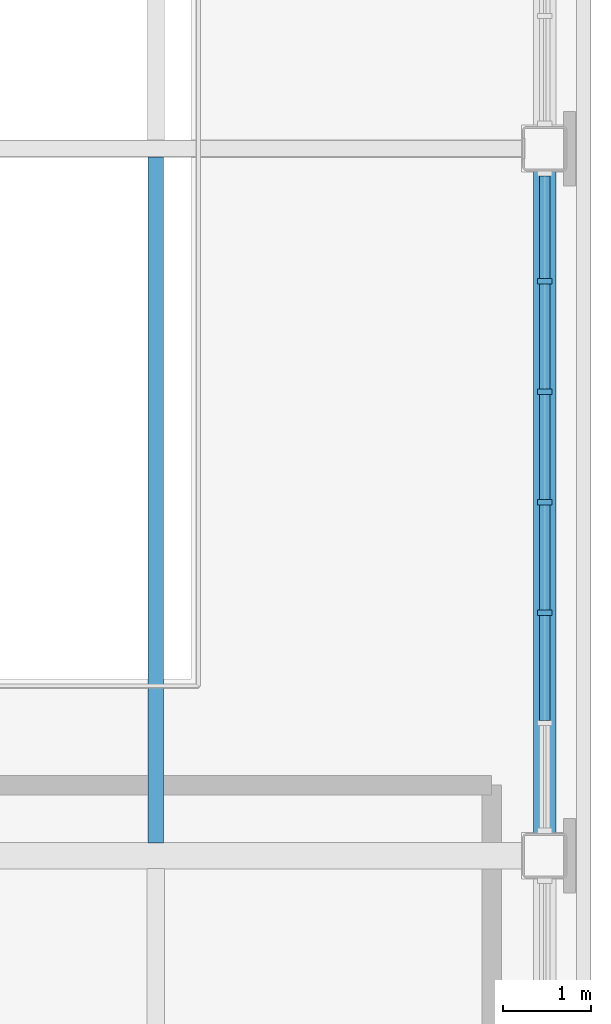
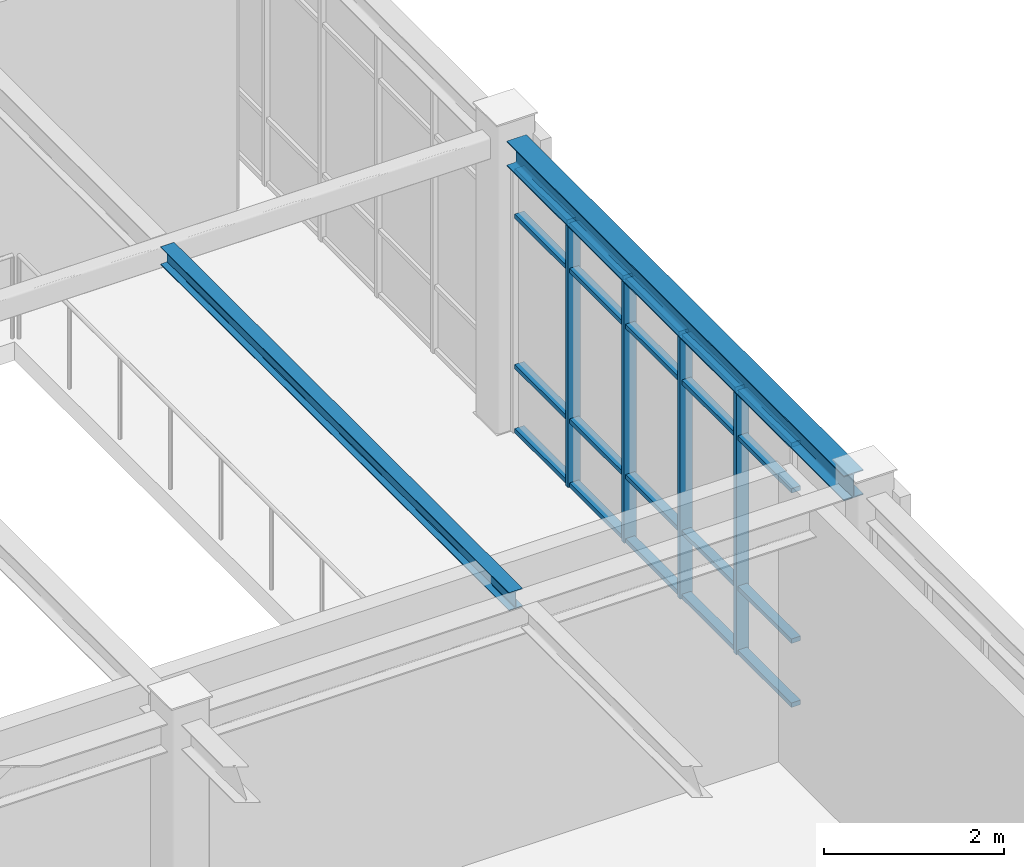
# One storey, part 11 of 45: 24 members, 2 beams, 1 element without a shape of its own.
"""IFC4 building model written with IfcOpenShell, lengths in metres."""

from ifc_helpers import new_model, si_unit, direction, frame, origin, origin_2d, place, context, subcontext, project, spatial, rectangle, i_section, extrude, material, material_profile, profile_set, type_object, element, aggregate, save


model = new_model("IFC4")

# Units and contexts
model_context = context("Model", 3, precision=1e-05, world=origin(), true_north=direction((0.0, 1.0)))
body_context = subcontext(model_context, "Body", "Model", "MODEL_VIEW")
ifc_project = project(units=[si_unit("LENGTHUNIT", "METRE"), si_unit("AREAUNIT", "SQUARE_METRE"), si_unit("VOLUMEUNIT", "CUBIC_METRE"), si_unit("PLANEANGLEUNIT", "RADIAN"), si_unit("MASSUNIT", "GRAM", prefix="KILO")], contexts=[model_context])

# Site, building, storey
site_placement = place(None, origin())
site = spatial("IfcSite", under=ifc_project, at=site_placement, CompositionType="ELEMENT")
building_placement = place(site_placement, origin())
building = spatial("IfcBuilding", under=site, at=building_placement, Name="Zhaolan Boulevard Law Courts", CompositionType="ELEMENT")
storey_placement = place(building_placement, frame((0.0, 0.0, 24.60009765625)))
storey = spatial("IfcBuildingStorey", under=building, at=storey_placement, Name="L05", CompositionType="ELEMENT", Elevation=24.60009765625)

# Curtain wall, members
ifc_material_1 = material(Name="Thermally broken aluminium and low-E glazing", Category="aluminium")
curtain_wall_type = type_object("IfcCurtainWallType", Name="CURTAIN WALL M5", PredefinedType="USERDEFINED", material=ifc_material_1)
curtain_wall_placement = place(storey_placement, origin())
curtain_wall = element("IfcCurtainWall", 1, at=curtain_wall_placement, inside=storey, type_object=curtain_wall_type, Name="Curtain Wall CW-L05-221", ObjectType="CURTAIN WALL", PredefinedType="USERDEFINED")
ifc_material_2 = material(Name="Fluorocarbon-coated aluminium 6063-T6", Category="aluminium")
ifc_material_profile_1 = material_profile(ifc_material_2, rectangle(XDim=0.159912109375, YDim=0.06005859375, at=origin_2d()), Name="AL60x160")
ifc_profile_set_1 = profile_set([ifc_material_profile_1], Name="Fluorocarbon-coated aluminium 6063-T6")
member_type_1 = type_object("IfcMemberType", Name="CWMULLION 60X160", PredefinedType="MULLION", material=ifc_profile_set_1)
member_1_placement = place(storey_placement, frame((44.0, 56.750732421875, 0.0), z_axis=(0.0, 0.0, 1.0), x_axis=(-1.0, 0.0, 0.0)))
member_1 = element("IfcMember", 2, at=member_1_placement, type_object=member_type_1, Name="CW-L05-221 mullion 3", PredefinedType="MULLION", context=body_context, shape_type="SweptSolid", body=[
    extrude(rectangle(XDim=0.159912109375, YDim=0.06005859375, at=origin_2d()), origin(), (0.0, 0.0, 1.0), 3.593017578125),
])
member_2_placement = place(storey_placement, frame((44.0, 58.0, 0.0), z_axis=(0.0, 0.0, 1.0), x_axis=(-1.0, 0.0, 0.0)))
member_2 = element("IfcMember", 3, at=member_2_placement, type_object=member_type_1, Name="CW-L05-221 mullion 4", PredefinedType="MULLION", context=body_context, shape_type="SweptSolid", body=[
    extrude(rectangle(XDim=0.159912109375, YDim=0.06005859375, at=origin_2d()), origin(), (0.0, 0.0, 1.0), 3.593017578125),
])
member_3_placement = place(storey_placement, frame((44.0, 59.249267578125, 0.0), z_axis=(0.0, 0.0, 1.0), x_axis=(-1.0, 0.0, 0.0)))
member_3 = element("IfcMember", 4, at=member_3_placement, type_object=member_type_1, Name="CW-L05-221 mullion 5", PredefinedType="MULLION", context=body_context, shape_type="SweptSolid", body=[
    extrude(rectangle(XDim=0.159912109375, YDim=0.06005859375, at=origin_2d()), origin(), (0.0, 0.0, 1.0), 3.593017578125),
])
member_4_placement = place(storey_placement, frame((44.0, 60.498779296875, 0.0), z_axis=(0.0, 0.0, 1.0), x_axis=(-1.0, 0.0, 0.0)))
member_4 = element("IfcMember", 5, at=member_4_placement, type_object=member_type_1, Name="CW-L05-221 mullion 6", PredefinedType="MULLION", context=body_context, shape_type="SweptSolid", body=[
    extrude(rectangle(XDim=0.159912109375, YDim=0.06005859375, at=origin_2d()), origin(), (0.0, 0.0, 1.0), 3.593017578125),
])
ifc_material_3 = material(Name="Fluorocarbon-coated aluminium 6063-T6", Category="aluminium")
ifc_material_profile_2 = material_profile(ifc_material_3, rectangle(XDim=0.1201171875, YDim=0.06005859375, at=origin_2d()), Name="AL60x120")
ifc_profile_set_2 = profile_set([ifc_material_profile_2], Name="Fluorocarbon-coated aluminium 6063-T6")
member_type_2 = type_object("IfcMemberType", Name="CWTRANSOM 60X120", PredefinedType="USERDEFINED", material=ifc_profile_set_2)
member_5_placement = place(storey_placement, frame((44.0, 55.53125, 0.02978515625), z_axis=(0.0, 1.0, 0.0), x_axis=(-1.0, 0.0, 0.0)))
member_5 = element("IfcMember", 6, at=member_5_placement, type_object=member_type_2, Name="CW-L05-221 transom 2.1", ObjectType="TRANSOM", PredefinedType="USERDEFINED", context=body_context, shape_type="SweptSolid", body=[
    extrude(rectangle(XDim=0.1201171875, YDim=0.06005859375, at=origin_2d()), origin(), (0.0, 0.0, 1.0), 1.189453125),
])
member_6_placement = place(storey_placement, frame((44.0, 55.53125, 0.89990234375), z_axis=(0.0, 1.0, 0.0), x_axis=(-1.0, 0.0, 0.0)))
member_6 = element("IfcMember", 7, at=member_6_placement, type_object=member_type_2, Name="CW-L05-221 transom 2.2", ObjectType="TRANSOM", PredefinedType="USERDEFINED", context=body_context, shape_type="SweptSolid", body=[
    extrude(rectangle(XDim=0.1201171875, YDim=0.06005859375, at=origin_2d()), origin(), (0.0, 0.0, 1.0), 1.189453125),
])
member_7_placement = place(storey_placement, frame((44.0, 55.53125, 2.94287109375), z_axis=(0.0, 1.0, 0.0), x_axis=(-1.0, 0.0, 0.0)))
member_7 = element("IfcMember", 8, at=member_7_placement, type_object=member_type_2, Name="CW-L05-221 transom 2.3", ObjectType="TRANSOM", PredefinedType="USERDEFINED", context=body_context, shape_type="SweptSolid", body=[
    extrude(rectangle(XDim=0.1201171875, YDim=0.06005859375, at=origin_2d()), origin(), (0.0, 0.0, 1.0), 1.189453125),
])
member_8_placement = place(storey_placement, frame((44.0, 55.53125, 3.56298828125), z_axis=(0.0, 1.0, 0.0), x_axis=(-1.0, 0.0, 0.0)))
member_8 = element("IfcMember", 9, at=member_8_placement, type_object=member_type_2, Name="CW-L05-221 transom 2.4", ObjectType="TRANSOM", PredefinedType="USERDEFINED", context=body_context, shape_type="SweptSolid", body=[
    extrude(rectangle(XDim=0.1201171875, YDim=0.06005859375, at=origin_2d()), origin(), (0.0, 0.0, 1.0), 1.189453125),
])
member_9_placement = place(storey_placement, frame((44.0, 56.78076171875, 0.02978515625), z_axis=(0.0, 1.0, 0.0), x_axis=(-1.0, 0.0, 0.0)))
member_9 = element("IfcMember", 10, at=member_9_placement, type_object=member_type_2, Name="CW-L05-221 transom 3.1", ObjectType="TRANSOM", PredefinedType="USERDEFINED", context=body_context, shape_type="SweptSolid", body=[
    extrude(rectangle(XDim=0.1201171875, YDim=0.06005859375, at=origin_2d()), origin(), (0.0, 0.0, 1.0), 1.189208984375),
])
member_10_placement = place(storey_placement, frame((44.0, 56.78076171875, 0.89990234375), z_axis=(0.0, 1.0, 0.0), x_axis=(-1.0, 0.0, 0.0)))
member_10 = element("IfcMember", 11, at=member_10_placement, type_object=member_type_2, Name="CW-L05-221 transom 3.2", ObjectType="TRANSOM", PredefinedType="USERDEFINED", context=body_context, shape_type="SweptSolid", body=[
    extrude(rectangle(XDim=0.1201171875, YDim=0.06005859375, at=origin_2d()), origin(), (0.0, 0.0, 1.0), 1.189208984375),
])
member_11_placement = place(storey_placement, frame((44.0, 56.78076171875, 2.94287109375), z_axis=(0.0, 1.0, 0.0), x_axis=(-1.0, 0.0, 0.0)))
member_11 = element("IfcMember", 12, at=member_11_placement, type_object=member_type_2, Name="CW-L05-221 transom 3.3", ObjectType="TRANSOM", PredefinedType="USERDEFINED", context=body_context, shape_type="SweptSolid", body=[
    extrude(rectangle(XDim=0.1201171875, YDim=0.06005859375, at=origin_2d()), origin(), (0.0, 0.0, 1.0), 1.189208984375),
])
member_12_placement = place(storey_placement, frame((44.0, 56.78076171875, 3.56298828125), z_axis=(0.0, 1.0, 0.0), x_axis=(-1.0, 0.0, 0.0)))
member_12 = element("IfcMember", 13, at=member_12_placement, type_object=member_type_2, Name="CW-L05-221 transom 3.4", ObjectType="TRANSOM", PredefinedType="USERDEFINED", context=body_context, shape_type="SweptSolid", body=[
    extrude(rectangle(XDim=0.1201171875, YDim=0.06005859375, at=origin_2d()), origin(), (0.0, 0.0, 1.0), 1.189208984375),
])
member_13_placement = place(storey_placement, frame((44.0, 58.030029296875, 0.02978515625), z_axis=(0.0, 1.0, 0.0), x_axis=(-1.0, 0.0, 0.0)))
member_13 = element("IfcMember", 14, at=member_13_placement, type_object=member_type_2, Name="CW-L05-221 transom 4.1", ObjectType="TRANSOM", PredefinedType="USERDEFINED", context=body_context, shape_type="SweptSolid", body=[
    extrude(rectangle(XDim=0.1201171875, YDim=0.06005859375, at=origin_2d()), origin(), (0.0, 0.0, 1.0), 1.189208984375),
])
member_14_placement = place(storey_placement, frame((44.0, 58.030029296875, 0.89990234375), z_axis=(0.0, 1.0, 0.0), x_axis=(-1.0, 0.0, 0.0)))
member_14 = element("IfcMember", 15, at=member_14_placement, type_object=member_type_2, Name="CW-L05-221 transom 4.2", ObjectType="TRANSOM", PredefinedType="USERDEFINED", context=body_context, shape_type="SweptSolid", body=[
    extrude(rectangle(XDim=0.1201171875, YDim=0.06005859375, at=origin_2d()), origin(), (0.0, 0.0, 1.0), 1.189208984375),
])
member_15_placement = place(storey_placement, frame((44.0, 58.030029296875, 2.94287109375), z_axis=(0.0, 1.0, 0.0), x_axis=(-1.0, 0.0, 0.0)))
member_15 = element("IfcMember", 16, at=member_15_placement, type_object=member_type_2, Name="CW-L05-221 transom 4.3", ObjectType="TRANSOM", PredefinedType="USERDEFINED", context=body_context, shape_type="SweptSolid", body=[
    extrude(rectangle(XDim=0.1201171875, YDim=0.06005859375, at=origin_2d()), origin(), (0.0, 0.0, 1.0), 1.189208984375),
])
member_16_placement = place(storey_placement, frame((44.0, 58.030029296875, 3.56298828125), z_axis=(0.0, 1.0, 0.0), x_axis=(-1.0, 0.0, 0.0)))
member_16 = element("IfcMember", 17, at=member_16_placement, type_object=member_type_2, Name="CW-L05-221 transom 4.4", ObjectType="TRANSOM", PredefinedType="USERDEFINED", context=body_context, shape_type="SweptSolid", body=[
    extrude(rectangle(XDim=0.1201171875, YDim=0.06005859375, at=origin_2d()), origin(), (0.0, 0.0, 1.0), 1.189208984375),
])
member_17_placement = place(storey_placement, frame((44.0, 59.279296875, 0.02978515625), z_axis=(0.0, 1.0, 0.0), x_axis=(-1.0, 0.0, 0.0)))
member_17 = element("IfcMember", 18, at=member_17_placement, type_object=member_type_2, Name="CW-L05-221 transom 5.1", ObjectType="TRANSOM", PredefinedType="USERDEFINED", context=body_context, shape_type="SweptSolid", body=[
    extrude(rectangle(XDim=0.1201171875, YDim=0.06005859375, at=origin_2d()), origin(), (0.0, 0.0, 1.0), 1.189453125),
])
member_18_placement = place(storey_placement, frame((44.0, 59.279296875, 0.89990234375), z_axis=(0.0, 1.0, 0.0), x_axis=(-1.0, 0.0, 0.0)))
member_18 = element("IfcMember", 19, at=member_18_placement, type_object=member_type_2, Name="CW-L05-221 transom 5.2", ObjectType="TRANSOM", PredefinedType="USERDEFINED", context=body_context, shape_type="SweptSolid", body=[
    extrude(rectangle(XDim=0.1201171875, YDim=0.06005859375, at=origin_2d()), origin(), (0.0, 0.0, 1.0), 1.189453125),
])
member_19_placement = place(storey_placement, frame((44.0, 59.279296875, 2.94287109375), z_axis=(0.0, 1.0, 0.0), x_axis=(-1.0, 0.0, 0.0)))
member_19 = element("IfcMember", 20, at=member_19_placement, type_object=member_type_2, Name="CW-L05-221 transom 5.3", ObjectType="TRANSOM", PredefinedType="USERDEFINED", context=body_context, shape_type="SweptSolid", body=[
    extrude(rectangle(XDim=0.1201171875, YDim=0.06005859375, at=origin_2d()), origin(), (0.0, 0.0, 1.0), 1.189453125),
])
member_20_placement = place(storey_placement, frame((44.0, 59.279296875, 3.56298828125), z_axis=(0.0, 1.0, 0.0), x_axis=(-1.0, 0.0, 0.0)))
member_20 = element("IfcMember", 21, at=member_20_placement, type_object=member_type_2, Name="CW-L05-221 transom 5.4", ObjectType="TRANSOM", PredefinedType="USERDEFINED", context=body_context, shape_type="SweptSolid", body=[
    extrude(rectangle(XDim=0.1201171875, YDim=0.06005859375, at=origin_2d()), origin(), (0.0, 0.0, 1.0), 1.189453125),
])
member_21_placement = place(storey_placement, frame((44.0, 60.528564453125, 0.02978515625), z_axis=(0.0, 1.0, 0.0), x_axis=(-1.0, 0.0, 0.0)))
member_21 = element("IfcMember", 22, at=member_21_placement, type_object=member_type_2, Name="CW-L05-221 transom 6.1", ObjectType="TRANSOM", PredefinedType="USERDEFINED", context=body_context, shape_type="SweptSolid", body=[
    extrude(rectangle(XDim=0.1201171875, YDim=0.06005859375, at=origin_2d()), origin(), (0.0, 0.0, 1.0), 1.159423828125),
])
member_22_placement = place(storey_placement, frame((44.0, 60.528564453125, 0.89990234375), z_axis=(0.0, 1.0, 0.0), x_axis=(-1.0, 0.0, 0.0)))
member_22 = element("IfcMember", 23, at=member_22_placement, type_object=member_type_2, Name="CW-L05-221 transom 6.2", ObjectType="TRANSOM", PredefinedType="USERDEFINED", context=body_context, shape_type="SweptSolid", body=[
    extrude(rectangle(XDim=0.1201171875, YDim=0.06005859375, at=origin_2d()), origin(), (0.0, 0.0, 1.0), 1.159423828125),
])
member_23_placement = place(storey_placement, frame((44.0, 60.528564453125, 2.94287109375), z_axis=(0.0, 1.0, 0.0), x_axis=(-1.0, 0.0, 0.0)))
member_23 = element("IfcMember", 24, at=member_23_placement, type_object=member_type_2, Name="CW-L05-221 transom 6.3", ObjectType="TRANSOM", PredefinedType="USERDEFINED", context=body_context, shape_type="SweptSolid", body=[
    extrude(rectangle(XDim=0.1201171875, YDim=0.06005859375, at=origin_2d()), origin(), (0.0, 0.0, 1.0), 1.159423828125),
])
member_24_placement = place(storey_placement, frame((44.0, 60.528564453125, 3.56298828125), z_axis=(0.0, 1.0, 0.0), x_axis=(-1.0, 0.0, 0.0)))
member_24 = element("IfcMember", 25, at=member_24_placement, type_object=member_type_2, Name="CW-L05-221 transom 6.4", ObjectType="TRANSOM", PredefinedType="USERDEFINED", context=body_context, shape_type="SweptSolid", body=[
    extrude(rectangle(XDim=0.1201171875, YDim=0.06005859375, at=origin_2d()), origin(), (0.0, 0.0, 1.0), 1.159423828125),
])
aggregate(curtain_wall, [member_1, member_2, member_3, member_4, member_5, member_6, member_7, member_8, member_9, member_10, member_11, member_12, member_13, member_14, member_15, member_16, member_17, member_18, member_19, member_20, member_21, member_22, member_23, member_24])

# Beams
ifc_material_4 = material(Name="Structural steel Q355B", Category="steel")
ifc_material_profile_3 = material_profile(ifc_material_4, i_section(OverallWidth=0.25, OverallDepth=0.340087890625, WebThickness=0.009033203125, FlangeThickness=0.013916015625, FilletRadius=0.01611328125, at=origin_2d()), Name="HM340x250")
ifc_profile_set_3 = profile_set([ifc_material_profile_3], Name="Structural steel Q355B")
beam_type_1 = type_object("IfcBeamType", Name="GIRDER HM340", PredefinedType="BEAM", material=ifc_profile_set_3)
beam_1_placement = place(storey_placement, frame((44.0, 54.24609375, 3.77783203125), z_axis=(0.0, 1.0, 0.0), x_axis=(-1.0, 0.0, 0.0)))
element("IfcBeam", 26, at=beam_1_placement, inside=storey, type_object=beam_type_1, Name="Beam BY-L06-6-H-J", PredefinedType="BEAM", context=body_context, shape_type="SweptSolid", body=[
    extrude(i_section(OverallWidth=0.25, OverallDepth=0.340087890625, WebThickness=0.009033203125, FlangeThickness=0.013916015625, FilletRadius=0.01611328125, at=origin_2d()), origin(), (0.0, 0.0, 1.0), 7.5078125),
])
ifc_material_5 = material(Name="Structural steel Q355B", Category="steel")
ifc_material_profile_4 = material_profile(ifc_material_5, i_section(OverallWidth=0.175048828125, OverallDepth=0.243896484375, WebThickness=0.007080078125, FlangeThickness=0.010986328125, FilletRadius=0.012939453125, at=origin_2d()), Name="HM244x175")
ifc_profile_set_4 = profile_set([ifc_material_profile_4], Name="Structural steel Q355B")
beam_type_2 = type_object("IfcBeamType", Name="JOIST HM244", PredefinedType="JOIST", material=ifc_profile_set_4)
beam_2_placement = place(storey_placement, frame((39.60009765625, 54.14599609375, 3.825927734375), z_axis=(0.0, 1.0, 0.0), x_axis=(-1.0, 0.0, 0.0)))
element("IfcBeam", 27, at=beam_2_placement, inside=storey, type_object=beam_type_2, Name="Composite Joist J-L06-5H", PredefinedType="JOIST", context=body_context, shape_type="SweptSolid", body=[
    extrude(i_section(OverallWidth=0.175048828125, OverallDepth=0.243896484375, WebThickness=0.007080078125, FlangeThickness=0.010986328125, FilletRadius=0.012939453125, at=origin_2d()), origin(), (0.0, 0.0, 1.0), 7.758056640625),
])

save(model, "model.ifc")
